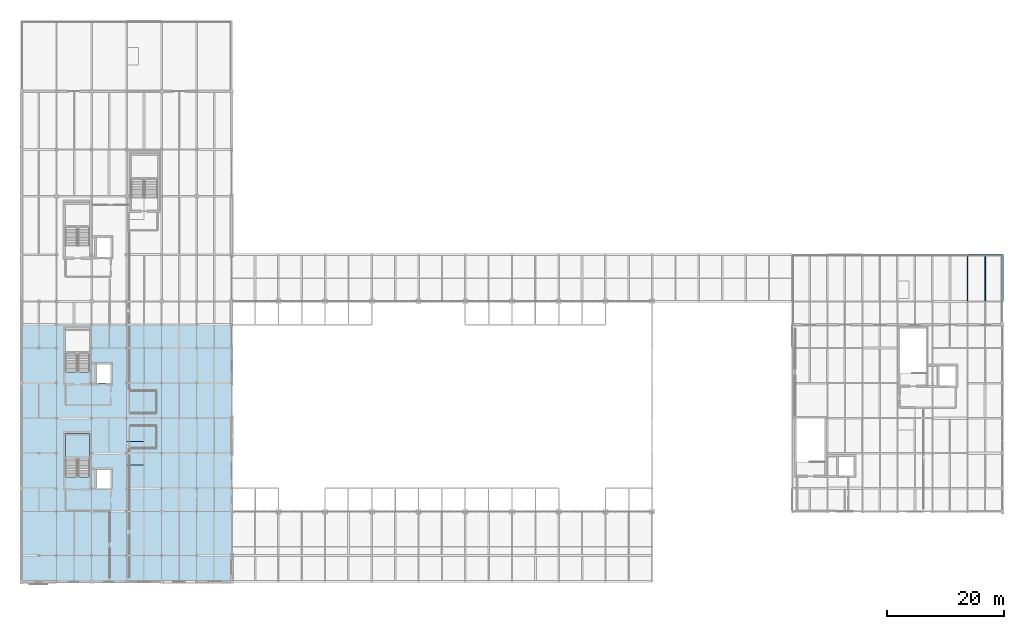
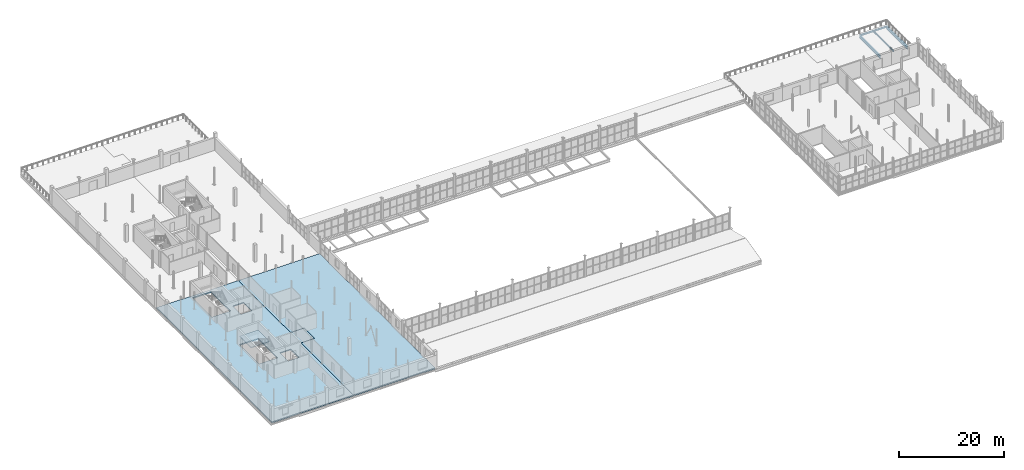
# One storey, part 73 of 96: 4 beams, 3 slabs, 1 element without a shape of its own.
"""IFC4 building model written with IfcOpenShell, lengths in metres."""

from ifc_helpers import new_model, si_unit, direction, frame, origin, origin_2d, place, context, subcontext, project, spatial, polyline, i_section, outline, extrude, material, layer, layer_set, material_profile, profile_set, type_object, element, aggregate, save


model = new_model("IFC4")

# Units and contexts
model_context = context("Model", 3, precision=1e-05, world=origin(), true_north=direction((0.0, 1.0)))
body_context = subcontext(model_context, "Body", "Model", "MODEL_VIEW")
ifc_project = project(units=[si_unit("LENGTHUNIT", "METRE"), si_unit("AREAUNIT", "SQUARE_METRE"), si_unit("VOLUMEUNIT", "CUBIC_METRE"), si_unit("PLANEANGLEUNIT", "RADIAN"), si_unit("MASSUNIT", "GRAM", prefix="KILO")], contexts=[model_context])

# Site, building, storey
site_placement = place(None, origin())
site = spatial("IfcSite", under=ifc_project, at=site_placement, CompositionType="ELEMENT")
building_placement = place(site_placement, origin())
building = spatial("IfcBuilding", under=site, at=building_placement, Name="Verrall Gate Interchange", CompositionType="ELEMENT")
storey_placement = place(building_placement, frame((0.0, 0.0, 11.39990234375)))
storey = spatial("IfcBuildingStorey", under=building, at=storey_placement, Name="L03", CompositionType="ELEMENT", Elevation=11.39990234375)

# Beams
ifc_material_1 = material(Name="Structural Steel CSA G40.21 350WT Cat 4", Category="steel")
ifc_material_profile_1 = material_profile(ifc_material_1, i_section(OverallWidth=0.256103515625, OverallDepth=0.693115234375, WebThickness=0.01318359375, FlangeThickness=0.02001953125, FilletRadius=0.01611328125, at=origin_2d()), Name="W690x170")
ifc_profile_set_1 = profile_set([ifc_material_profile_1], Name="Structural Steel CSA G40.21 350WT Cat 4")
beam_type_1 = type_object("IfcBeamType", Name="B-07 Structural Beam W690x170", PredefinedType="BEAM", material=ifc_profile_set_1)
for number, where, z_axis, x_axis, name in (
    (1, (162.0, 48.0, -0.676513671875), (0.0, 1.0, 0.0), (-1.0, 0.0, 0.0), "L03 Girder BM-L03-2370 (B-07)"),
    (2, (168.0, 48.0, -0.676513671875), (0.0, 1.0, 0.0), (-1.0, 0.0, 0.0), "L03 Girder BM-L03-2378 (B-07)"),
):
    element("IfcBeam", number, at=place(storey_placement, frame(where, z_axis=z_axis, x_axis=x_axis)), inside=storey, type_object=beam_type_1, Name=name, PredefinedType="BEAM", context=body_context, shape_type="SweptSolid", body=[
        extrude(i_section(OverallWidth=0.256103515625, OverallDepth=0.693115234375, WebThickness=0.01318359375, FlangeThickness=0.02001953125, FilletRadius=0.01611328125, at=origin_2d()), origin(), (0.0, 0.0, 1.0), 8.0),
    ])
ifc_material_2 = material(Name="Structural Steel CSA G40.21 350W", Category="steel")
ifc_material_profile_2 = material_profile(ifc_material_2, i_section(OverallWidth=0.178955078125, OverallDepth=0.409912109375, WebThickness=0.0087890625, FlangeThickness=0.014404296875, FilletRadius=0.011962890625, at=origin_2d()), Name="W410x67")
ifc_profile_set_2 = profile_set([ifc_material_profile_2], Name="Structural Steel CSA G40.21 350W")
beam_type_2 = type_object("IfcBeamType", Name="B-12 Structural Beam W410x67", PredefinedType="BEAM", material=ifc_profile_set_2)
beam_1_placement = place(storey_placement, frame((162.0, 56.0, -0.534912109375), z_axis=(1.0, 0.0, 0.0), x_axis=(0.0, 1.0, 0.0)))
element("IfcBeam", 3, at=beam_1_placement, inside=storey, type_object=beam_type_2, Name="L03 Girder BM-L03-2149 (B-12)", PredefinedType="BEAM", context=body_context, shape_type="SweptSolid", body=[
    extrude(i_section(OverallWidth=0.178955078125, OverallDepth=0.409912109375, WebThickness=0.0087890625, FlangeThickness=0.014404296875, FilletRadius=0.011962890625, at=origin_2d()), origin(), (0.0, 0.0, 1.0), 6.0),
])
ifc_material_3 = material(Name="Structural Steel CSA G40.21 350W", Category="steel")
ifc_material_profile_3 = material_profile(ifc_material_3, i_section(OverallWidth=0.172119140625, OverallDepth=0.35791015625, WebThickness=0.0078125, FlangeThickness=0.01318359375, FilletRadius=0.010986328125, at=origin_2d()), Name="W360x57")
ifc_profile_set_3 = profile_set([ifc_material_profile_3], Name="Structural Steel CSA G40.21 350W")
beam_type_3 = type_object("IfcBeamType", Name="J-01 Floor Joist W360x57", PredefinedType="JOIST", material=ifc_profile_set_3)
beam_2_placement = place(storey_placement, frame((165.0, 48.1025390625, -0.5087890625), z_axis=(0.0, 1.0, 0.0), x_axis=(-1.0, 0.0, 0.0)))
element("IfcBeam", 4, at=beam_2_placement, inside=storey, type_object=beam_type_3, Name="L03 Secondary Floor Joist JST-L03-2500", PredefinedType="JOIST", context=body_context, shape_type="SweptSolid", body=[
    extrude(i_section(OverallWidth=0.172119140625, OverallDepth=0.35791015625, WebThickness=0.0078125, FlangeThickness=0.01318359375, FilletRadius=0.010986328125, at=origin_2d()), origin(), (0.0, 0.0, 1.0), 7.807861328125),
])

# Slabs
ifc_material_4 = material(Name="Concrete CSA A23.1 40 MPa (Class N)", Category="concrete")
ifc_layer_1 = layer(ifc_material_4, 0.260009765625)
ifc_layer_set_1 = layer_set([ifc_layer_1], Name="Concrete CSA A23.1 40 MPa (Class N)")
slab_type_1 = type_object("IfcSlabType", Name="FS-09 Floor Slab 260", PredefinedType="FLOOR", material=ifc_layer_set_1)
slab_1_placement = place(storey_placement, frame((0.0, 0.0, -0.260009765625)))
element("IfcSlab", 5, at=slab_1_placement, inside=storey, type_object=slab_type_1, Name="L03 Structural Slab SLB-L03-01", PredefinedType="FLOOR", context=body_context, shape_type="SweptSolid", body=[
    extrude(outline(polyline([(0.0, 0.0), (0.0, 44.0), (18.0, 44.0), (18.0, 24.0), (21.0, 24.0), (21.0, 20.0), (18.0, 20.0), (18.0, 0.0), (0.0, 0.0)]), holes=[polyline([(12.85009765625, 19.199951171875), (12.85009765625, 16.0), (15.25, 16.0), (15.25, 19.199951171875), (12.85009765625, 19.199951171875)]), polyline([(12.85009765625, 37.199951171875), (12.85009765625, 34.0), (15.25, 34.0), (15.25, 37.199951171875), (12.85009765625, 37.199951171875)]), polyline([(7.550048828125, 25.39990234375), (7.550048828125, 17.949951171875), (11.64990234375, 17.949951171875), (11.64990234375, 25.39990234375), (7.550048828125, 25.39990234375)]), polyline([(11.64990234375, 43.39990234375), (7.550048828125, 43.39990234375), (7.550048828125, 35.949951171875), (11.64990234375, 35.949951171875), (11.64990234375, 43.39990234375)])]), origin(), (0.0, 0.0, 1.0), 0.260009765625),
])
slab_2_placement = place(storey_placement, frame((0.0, 0.0, -0.260009765625)))
element("IfcSlab", 6, at=slab_2_placement, inside=storey, type_object=slab_type_1, Name="L03 Structural Slab SLB-L03-02", PredefinedType="FLOOR", context=body_context, shape_type="SweptSolid", body=[
    extrude(outline(polyline([(36.0, 0.0), (18.0, 0.0), (18.0, 20.0), (21.0, 20.0), (21.0, 24.0), (18.0, 24.0), (18.0, 44.0), (36.0, 44.0), (36.0, 0.0)])), origin(), (0.0, 0.0, 1.0), 0.260009765625),
])

# Stair, slab
ifc_material_5 = material(Name="Concrete CSA A23.1 40 MPa (Class N)", Category="concrete")
stair_type = type_object("IfcStairType", Name="ST-T04 Straight-Flight Return Exit Stair W1950 H4000", PredefinedType="STRAIGHT_RUN_STAIR", material=ifc_material_5)
stair_placement = place(storey_placement, origin())
stair = element("IfcStair", 7, at=stair_placement, inside=storey, type_object=stair_type, Name="L03 ST-01", PredefinedType="STRAIGHT_RUN_STAIR")
ifc_material_6 = material(Name="Concrete CSA A23.1 40 MPa (Class N)", Category="concrete")
ifc_layer_2 = layer(ifc_material_6, 0.18994140625)
ifc_layer_set_2 = layer_set([ifc_layer_2], Name="Concrete CSA A23.1 40 MPa (Class N)")
slab_type_2 = type_object("IfcSlabType", Name="LS-01 Stair Landing Slab 190", PredefinedType="LANDING", material=ifc_layer_set_2)
slab_3_placement = place(storey_placement, frame((0.0, 0.0, 1.800048828125)))
slab_3 = element("IfcSlab", 8, at=slab_3_placement, type_object=slab_type_2, Name="ST-01 landing 1", PredefinedType="LANDING", context=body_context, shape_type="SweptSolid", body=[
    extrude(outline(polyline([(11.64990234375, 21.030029296875), (11.64990234375, 25.39990234375), (7.550048828125, 25.39990234375), (7.550048828125, 21.030029296875), (11.64990234375, 21.030029296875)])), origin(), (0.0, 0.0, 1.0), 0.199951171875),
])
aggregate(stair, [slab_3])

save(model, "model.ifc")
